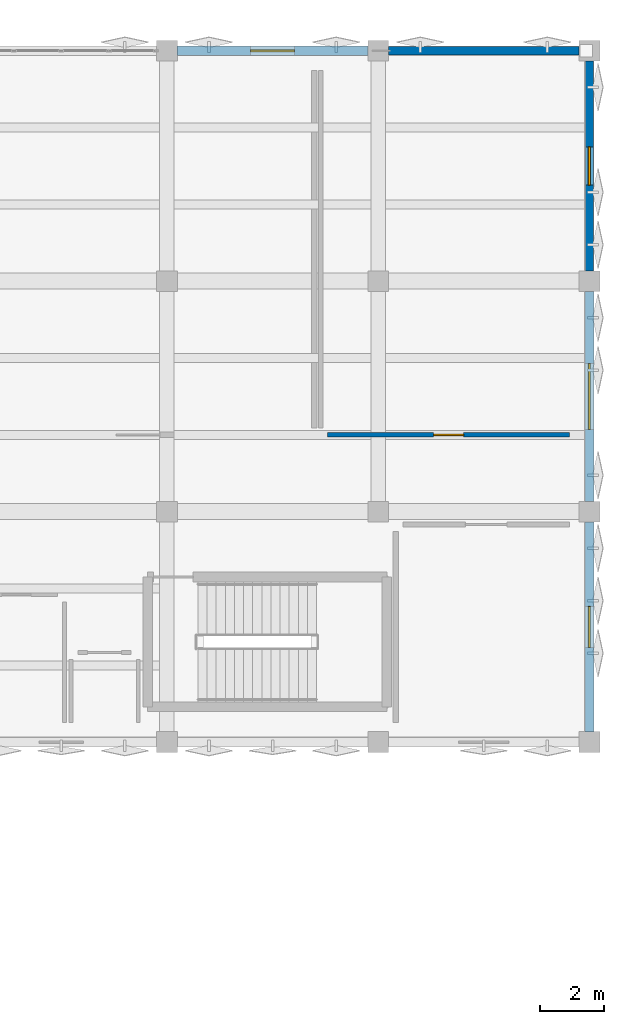
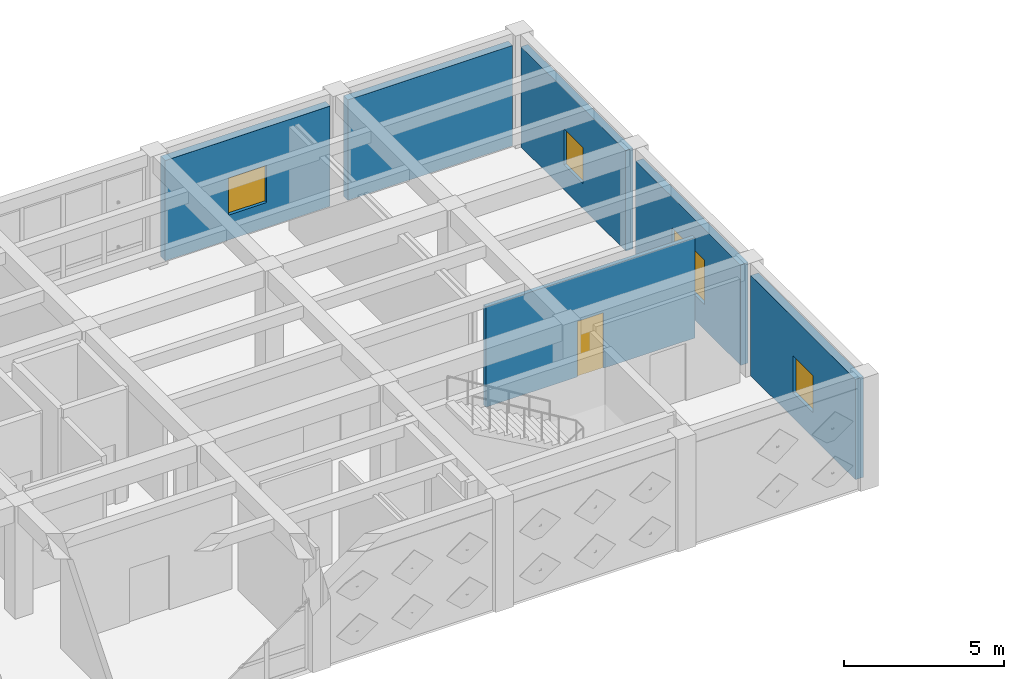
# One storey, part 60 of 67: 6 walls, 4 windows, 1 door, 5 openings.
"""IFC4 building model written with IfcOpenShell, lengths in metres."""

from ifc_helpers import new_model, si_unit, direction, frame, frame_2d, origin, place, context, subcontext, project, spatial, rectangle, extrude, material, layer, layer_set, type_object, element, fill, save


model = new_model("IFC4")

# Units and contexts
model_context = context("Model", 3, precision=1e-05, world=origin(), true_north=direction((0.0, 1.0)))
body_context = subcontext(model_context, "Body", "Model", "MODEL_VIEW")
ifc_project = project(units=[si_unit("LENGTHUNIT", "METRE"), si_unit("AREAUNIT", "SQUARE_METRE"), si_unit("VOLUMEUNIT", "CUBIC_METRE"), si_unit("PLANEANGLEUNIT", "RADIAN"), si_unit("MASSUNIT", "GRAM", prefix="KILO")], contexts=[model_context])

# Site, building, storey
site_placement = place(None, origin())
site = spatial("IfcSite", under=ifc_project, at=site_placement, CompositionType="ELEMENT")
building_placement = place(site_placement, origin())
building = spatial("IfcBuilding", under=site, at=building_placement, Name="Kharisveld Research Institute", CompositionType="ELEMENT")
storey_placement = place(building_placement, frame((0.0, 0.0, 9.60009765625)))
storey = spatial("IfcBuildingStorey", under=building, at=storey_placement, Name="L02", CompositionType="ELEMENT", Elevation=9.60009765625)

# Wall, opening, window
ifc_material_1 = material(Name="Precast Concrete C40/50 Thermal Wall", Category="concrete")
ifc_layer_1 = layer(ifc_material_1, 0.260009765625)
ifc_layer_set_1 = layer_set([ifc_layer_1], Name="WL_EXT_260")
wall_type_1 = type_object("IfcWallType", Name="WL_EXT_260", PredefinedType="STANDARD", material=ifc_layer_set_1)
wall_1_placement = place(storey_placement, frame((160.800048828125, 60.47998046875, 0.0), z_axis=(0.0, 0.0, 1.0), x_axis=(0.0, -1.0, 0.0)))
wall_1 = element("IfcWall", 1, at=wall_1_placement, inside=storey, type_object=wall_type_1, Name="WL:V2:L02:E3", PredefinedType="STANDARD", context=body_context, shape_type="SweptSolid", body=[
    extrude(rectangle(XDim=6.56005859375, YDim=0.260009765625, at=frame_2d((3.280029296875, 0.0))), origin(), (0.0, 0.0, 1.0), 3.8349609375),
])
opening_1_placement = place(wall_1_placement, frame((2.68505859375, 0.0, 0.949951171875)))
opening_1 = element("IfcOpeningElement", 2, at=opening_1_placement, cuts=wall_1, Name="Opening WN-21", PredefinedType="OPENING", context=body_context, shape_type="SweptSolid", body=[
    extrude(rectangle(XDim=1.18994140625, YDim=1.3798828125, at=frame_2d((0.594970703125, 0.68994140625))), frame((0.0, 0.1298828125, 0.0), z_axis=(0.0, -1.0, 0.0), x_axis=(1.0, 0.0, 0.0)), (0.0, 0.0, 1.0), 0.260009765625),
])
ifc_material_2 = material(Name="Low-E Double Glazing", Category="glass")
window_type_1 = type_object("IfcWindowType", Name="WN_21", PartitioningType="DOUBLE_PANEL_VERTICAL", PredefinedType="WINDOW", material=ifc_material_2)
window_1_placement = place(opening_1_placement, origin())
window_1 = element("IfcWindow", 3, at=window_1_placement, inside=storey, type_object=window_type_1, Name="WN:V2:L02:E3", OverallHeight=1.3798828125, OverallWidth=1.18994140625, PartitioningType="SINGLE_PANEL", PredefinedType="WINDOW", context=body_context, shape_type="SweptSolid", body=[
    extrude(rectangle(XDim=1.18994140625, YDim=1.3798828125, at=frame_2d((0.594970703125, 0.68994140625))), frame((0.0, 0.030029296875, 0.0), z_axis=(0.0, -1.0, 0.0), x_axis=(1.0, 0.0, 0.0)), (0.0, 0.0, 1.0), 0.06005859375),
])
fill(opening_1, window_1)

# Wall
ifc_material_3 = material(Name="Precast Concrete C40/50 Thermal Wall", Category="concrete")
ifc_layer_2 = layer(ifc_material_3, 0.27490234375)
ifc_layer_set_2 = layer_set([ifc_layer_2], Name="WL_EXT_275")
wall_type_2 = type_object("IfcWallType", Name="WL_EXT_275", PredefinedType="STANDARD", material=ifc_layer_set_2)
wall_2_placement = place(storey_placement, frame((154.52001953125, 60.800048828125, 0.0), z_axis=(0.0, 0.0, 1.0), x_axis=(1.0, 0.0, 0.0)))
element("IfcWall", 4, at=wall_2_placement, inside=storey, type_object=wall_type_2, Name="WL:V2:L02:N6", PredefinedType="STANDARD", context=body_context, shape_type="SweptSolid", body=[
    extrude(rectangle(XDim=5.9599609375, YDim=0.27490234375, at=frame_2d((2.97998046875, 0.0))), origin(), (0.0, 0.0, 1.0), 3.8349609375),
])

# Wall, opening, window
wall_3_placement = place(storey_placement, frame((160.800048828125, 53.280029296875, 0.0), z_axis=(0.0, 0.0, 1.0), x_axis=(0.0, -1.0, 0.0)))
wall_3 = element("IfcWall", 5, at=wall_3_placement, inside=storey, type_object=wall_type_2, Name="WL:V2:L02:E2", PredefinedType="STANDARD", context=body_context, shape_type="SweptSolid", body=[
    extrude(rectangle(XDim=6.56005859375, YDim=0.27490234375, at=frame_2d((3.280029296875, 0.0))), origin(), (0.0, 0.0, 1.0), 3.8349609375),
])
opening_2_placement = place(wall_3_placement, frame((2.2548828125, 0.0, 0.949951171875)))
opening_2 = element("IfcOpeningElement", 6, at=opening_2_placement, cuts=wall_3, Name="Opening WN-20", PredefinedType="OPENING", context=body_context, shape_type="SweptSolid", body=[
    extrude(rectangle(XDim=2.050048828125, YDim=1.699951171875, at=frame_2d((1.02490234375, 0.85009765625))), frame((0.0, 0.137451171875, 0.0), z_axis=(0.0, -1.0, 0.0), x_axis=(1.0, 0.0, 0.0)), (0.0, 0.0, 1.0), 0.27490234375),
])
ifc_material_4 = material(Name="Low-E Double Glazing", Category="glass")
window_type_2 = type_object("IfcWindowType", Name="WN_20", PartitioningType="DOUBLE_PANEL_VERTICAL", PredefinedType="WINDOW", material=ifc_material_4)
window_2_placement = place(opening_2_placement, origin())
window_2 = element("IfcWindow", 7, at=window_2_placement, inside=storey, type_object=window_type_2, Name="WN:V2:L02:E2", OverallHeight=1.699951171875, OverallWidth=2.050048828125, PartitioningType="SINGLE_PANEL", PredefinedType="WINDOW", context=body_context, shape_type="SweptSolid", body=[
    extrude(rectangle(XDim=2.050048828125, YDim=1.699951171875, at=frame_2d((1.02490234375, 0.85009765625))), frame((0.0, 0.030029296875, 0.0), z_axis=(0.0, -1.0, 0.0), x_axis=(1.0, 0.0, 0.0)), (0.0, 0.0, 1.0), 0.06005859375),
])
fill(opening_2, window_2)

ifc_material_5 = material(Name="Precast Concrete C40/50 Thermal Wall", Category="concrete")
ifc_layer_3 = layer(ifc_material_5, 0.2900390625)
ifc_layer_set_3 = layer_set([ifc_layer_3], Name="WL_EXT_290")
wall_type_3 = type_object("IfcWallType", Name="WL_EXT_290", PredefinedType="STANDARD", material=ifc_layer_set_3)
wall_4_placement = place(storey_placement, frame((147.919921875, 60.800048828125, 0.0), z_axis=(0.0, 0.0, 1.0), x_axis=(1.0, 0.0, 0.0)))
wall_4 = element("IfcWall", 8, at=wall_4_placement, inside=storey, type_object=wall_type_3, Name="WL:V2:L02:N5", PredefinedType="STANDARD", context=body_context, shape_type="SweptSolid", body=[
    extrude(rectangle(XDim=5.9599609375, YDim=0.2900390625, at=frame_2d((2.97998046875, 0.0))), origin(), (0.0, 0.0, 1.0), 3.8349609375),
])
opening_3_placement = place(wall_4_placement, frame((2.294921875, 0.0, 0.949951171875)))
opening_3 = element("IfcOpeningElement", 9, at=opening_3_placement, cuts=wall_4, Name="Opening WN-23", PredefinedType="OPENING", context=body_context, shape_type="SweptSolid", body=[
    extrude(rectangle(XDim=1.3701171875, YDim=1.419921875, at=frame_2d((0.68505859375, 0.7099609375))), frame((0.0, 0.14501953125, 0.0), z_axis=(0.0, -1.0, 0.0), x_axis=(1.0, 0.0, 0.0)), (0.0, 0.0, 1.0), 0.2900390625),
])
ifc_material_6 = material(Name="Low-E Double Glazing", Category="glass")
window_type_3 = type_object("IfcWindowType", Name="WN_23", PartitioningType="DOUBLE_PANEL_VERTICAL", PredefinedType="WINDOW", material=ifc_material_6)
window_3_placement = place(opening_3_placement, origin())
window_3 = element("IfcWindow", 10, at=window_3_placement, inside=storey, type_object=window_type_3, Name="WN:V2:L02:N5", OverallHeight=1.419921875, OverallWidth=1.3701171875, PartitioningType="SINGLE_PANEL", PredefinedType="WINDOW", context=body_context, shape_type="SweptSolid", body=[
    extrude(rectangle(XDim=1.3701171875, YDim=1.419921875, at=frame_2d((0.68505859375, 0.7099609375))), frame((0.0, 0.030029296875, 0.0), z_axis=(0.0, -1.0, 0.0), x_axis=(1.0, 0.0, 0.0)), (0.0, 0.0, 1.0), 0.06005859375),
])
fill(opening_3, window_3)

wall_5_placement = place(storey_placement, frame((160.800048828125, 46.080078125, 0.0), z_axis=(0.0, 0.0, 1.0), x_axis=(0.0, -1.0, 0.0)))
wall_5 = element("IfcWall", 11, at=wall_5_placement, inside=storey, type_object=wall_type_3, Name="WL:V2:L02:E1", PredefinedType="STANDARD", context=body_context, shape_type="SweptSolid", body=[
    extrude(rectangle(XDim=6.56005859375, YDim=0.2900390625, at=frame_2d((3.280029296875, 0.0))), origin(), (0.0, 0.0, 1.0), 3.8349609375),
])
opening_4_placement = place(wall_5_placement, frame((2.639892578125, 0.0, 0.949951171875)))
opening_4 = element("IfcOpeningElement", 12, at=opening_4_placement, cuts=wall_5, Name="Opening WN-19", PredefinedType="OPENING", context=body_context, shape_type="SweptSolid", body=[
    extrude(rectangle(XDim=1.280029296875, YDim=1.419921875, at=frame_2d((0.64013671875, 0.7099609375))), frame((0.0, 0.14501953125, 0.0), z_axis=(0.0, -1.0, 0.0), x_axis=(1.0, 0.0, 0.0)), (0.0, 0.0, 1.0), 0.2900390625),
])
ifc_material_7 = material(Name="Low-E Double Glazing", Category="glass")
window_type_4 = type_object("IfcWindowType", Name="WN_19", PartitioningType="SINGLE_PANEL", PredefinedType="WINDOW", material=ifc_material_7)
window_4_placement = place(opening_4_placement, origin())
window_4 = element("IfcWindow", 13, at=window_4_placement, inside=storey, type_object=window_type_4, Name="WN:V2:L02:E1", OverallHeight=1.419921875, OverallWidth=1.280029296875, PartitioningType="SINGLE_PANEL", PredefinedType="WINDOW", context=body_context, shape_type="SweptSolid", body=[
    extrude(rectangle(XDim=1.280029296875, YDim=1.419921875, at=frame_2d((0.64013671875, 0.7099609375))), frame((0.0, 0.030029296875, 0.0), z_axis=(0.0, -1.0, 0.0), x_axis=(1.0, 0.0, 0.0)), (0.0, 0.0, 1.0), 0.06005859375),
])
fill(opening_4, window_4)

# Wall, opening, door
ifc_material_8 = material(Name="Insulated Stud Partition", Category="mineral")
ifc_layer_4 = layer(ifc_material_8, 0.139892578125)
ifc_layer_set_4 = layer_set([ifc_layer_4], Name="WL_OFF_140")
wall_type_4 = type_object("IfcWallType", Name="WL_OFF_140", PredefinedType="PARTITIONING", material=ifc_layer_set_4)
wall_6_placement = place(storey_placement, frame((152.6201171875, 48.800048828125, 0.0), z_axis=(0.0, 0.0, 1.0), x_axis=(1.0, 0.0, 0.0)))
wall_6 = element("IfcWall", 14, at=wall_6_placement, inside=storey, type_object=wall_type_4, Name="WL:RM:V2:L02:WLD:S", PredefinedType="PARTITIONING", context=body_context, shape_type="SweptSolid", body=[
    extrude(rectangle(XDim=7.559814453125, YDim=0.139892578125, at=frame_2d((3.77978515625, 0.0))), origin(), (0.0, 0.0, 1.0), 3.8349609375),
])
opening_5_placement = place(wall_6_placement, frame((3.31005859375, 0.0, 0.0)))
opening_5 = element("IfcOpeningElement", 15, at=opening_5_placement, cuts=wall_6, Name="Opening DI-209", PredefinedType="OPENING", context=body_context, shape_type="SweptSolid", body=[
    extrude(rectangle(XDim=0.93994140625, YDim=2.1201171875, at=frame_2d((0.469970703125, 1.06005859375))), frame((0.0, 0.06982421875, 0.0), z_axis=(0.0, -1.0, 0.0), x_axis=(1.0, 0.0, 0.0)), (0.0, 0.0, 1.0), 0.139892578125),
])
ifc_material_9 = material(Name="Flush Painted Hardwood and Anodised Aluminium", Category="wood")
door_type = type_object("IfcDoorType", Name="DR_OFF_094", OperationType="NOTDEFINED", PredefinedType="DOOR", material=ifc_material_9)
door_placement = place(opening_5_placement, origin())
door = element("IfcDoor", 16, at=door_placement, inside=storey, type_object=door_type, Name="DR:RM:V2:L02:WLD:S", OperationType="SINGLE_SWING_LEFT", OverallHeight=2.1201171875, OverallWidth=0.93994140625, PredefinedType="DOOR", context=body_context, shape_type="SweptSolid", body=[
    extrude(rectangle(XDim=0.93994140625, YDim=2.1201171875, at=frame_2d((0.469970703125, 1.06005859375))), frame((0.0, 0.02490234375, 0.0), z_axis=(0.0, -1.0, 0.0), x_axis=(1.0, 0.0, 0.0)), (0.0, 0.0, 1.0), 0.050048828125),
])
fill(opening_5, door)

save(model, "model.ifc")
